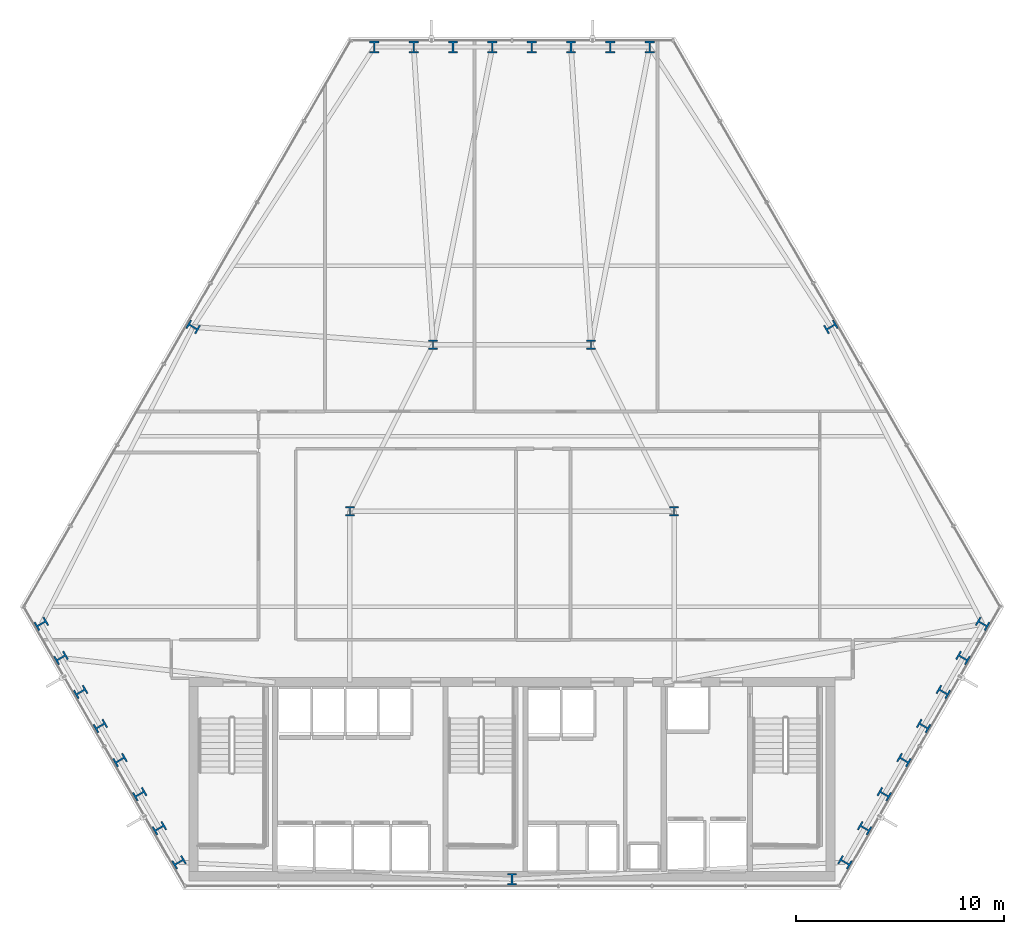
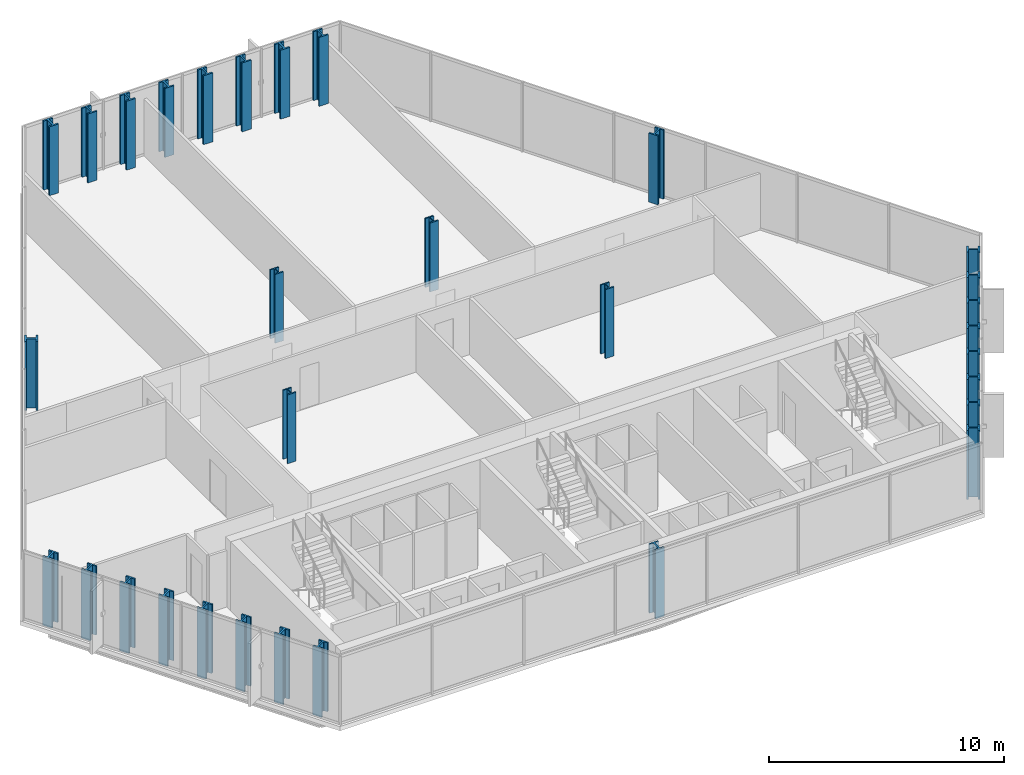
# One storey, part 1 of 32: 31 columns.
"""IFC4 building model written with IfcOpenShell, lengths in metres."""

from ifc_helpers import new_model, si_unit, direction, frame, origin, origin_2d, place, context, subcontext, project, spatial, i_section, extrude, material, material_profile, profile_set, type_object, element, save


model = new_model("IFC4")

# Units and contexts
model_context = context("Model", 3, precision=1e-05, world=origin(), true_north=direction((0.0, 1.0)))
body_context = subcontext(model_context, "Body", "Model", "MODEL_VIEW")
ifc_project = project(units=[si_unit("LENGTHUNIT", "METRE"), si_unit("AREAUNIT", "SQUARE_METRE"), si_unit("VOLUMEUNIT", "CUBIC_METRE"), si_unit("PLANEANGLEUNIT", "RADIAN"), si_unit("MASSUNIT", "GRAM", prefix="KILO")], contexts=[model_context])

# Site, building, storey
site_placement = place(None, origin())
site = spatial("IfcSite", under=ifc_project, at=site_placement, CompositionType="ELEMENT")
building_placement = place(site_placement, origin())
building = spatial("IfcBuilding", under=site, at=building_placement, Name="Ndaravel Arena Tower", CompositionType="ELEMENT")
storey_placement = place(building_placement, frame((0.0, 0.0, 62.60009765625)))
storey = spatial("IfcBuildingStorey", under=building, at=storey_placement, Name="L13", CompositionType="ELEMENT", Elevation=62.60009765625)

# Columns
ifc_material_1 = material(Name="Steel S460", Category="steel")
ifc_material_profile_1 = material_profile(ifc_material_1, i_section(OverallWidth=0.41845703125, OverallDepth=0.45556640625, WebThickness=0.0419921875, FlangeThickness=0.0673828125, FilletRadius=0.01513671875, at=origin_2d()), Name="UC 356x406x551")
ifc_profile_set_1 = profile_set([ifc_material_profile_1], Name="Steel S460")
column_type_1 = type_object("IfcColumnType", Name="COL-INT-UC551", PredefinedType="COLUMN", material=ifc_profile_set_1)
for number, where, z_axis, x_axis, name in (
    (1, (34.199951171875, 23.199951171875, 0.0), (0.0, 0.0, 1.0), (1.0, 0.0, 0.0), "L13 Interior Spine Column IC-01"),
    (2, (49.800048828125, 23.199951171875, 0.0), (0.0, 0.0, 1.0), (1.0, 0.0, 0.0), "L13 Interior Spine Column IC-02"),
    (3, (38.199951171875, 31.199951171875, 0.0), (0.0, 0.0, 1.0), (1.0, 0.0, 0.0), "L13 Interior Spine Column IC-03"),
    (4, (45.800048828125, 31.199951171875, 0.0), (0.0, 0.0, 1.0), (1.0, 0.0, 0.0), "L13 Interior Spine Column IC-04"),
):
    element("IfcColumn", number, at=place(storey_placement, frame(where, z_axis=z_axis, x_axis=x_axis)), inside=storey, type_object=column_type_1, Name=name, PredefinedType="COLUMN", context=body_context, shape_type="SweptSolid", body=[
        extrude(i_section(OverallWidth=0.41845703125, OverallDepth=0.45556640625, WebThickness=0.0419921875, FlangeThickness=0.0673828125, FilletRadius=0.01513671875, at=origin_2d()), origin(), (0.0, 0.0, 1.0), 3.579833984375),
    ])
ifc_material_2 = material(Name="Steel S460", Category="steel")
ifc_material_profile_2 = material_profile(ifc_material_2, i_section(OverallWidth=0.4541015625, OverallDepth=0.569091796875, WebThickness=0.077880859375, FlangeThickness=0.080078125, FilletRadius=0.014892578125, at=origin_2d()), Name="HD 400x1086")
ifc_profile_set_2 = profile_set([ifc_material_profile_2], Name="Steel S460")
column_type_2 = type_object("IfcColumnType", Name="COL-TUBE-HD1086", PredefinedType="COLUMN", material=ifc_profile_set_2)
for number, where, z_axis, x_axis, name in (
    (5, (42.0, 5.47998046875, 0.0), (0.0, 0.0, 1.0), (1.0, 0.0, 0.0), "L13 Framed Tube Column TC-01"),
    (6, (58.0234375, 6.299560546875, 0.0), (0.0, 0.0, 1.0), (0.5, 0.866025403784, 0.0), "L13 Framed Tube Column TC-02"),
    (7, (58.969970703125, 7.93896484375, 0.0), (0.0, 0.0, 1.0), (0.5, 0.866025403784, 0.0), "L13 Framed Tube Column TC-03"),
    (8, (59.916259765625, 9.578125, 0.0), (0.0, 0.0, 1.0), (0.5, 0.866025403784, 0.0), "L13 Framed Tube Column TC-04"),
    (9, (60.86279296875, 11.21728515625, 0.0), (0.0, 0.0, 1.0), (0.5, 0.866025403784, 0.0), "L13 Framed Tube Column TC-05"),
    (10, (61.80908203125, 12.856689453125, 0.0), (0.0, 0.0, 1.0), (0.5, 0.866025403784, 0.0), "L13 Framed Tube Column TC-06"),
    (11, (62.755615234375, 14.495849609375, 0.0), (0.0, 0.0, 1.0), (0.5, 0.866025403784, 0.0), "L13 Framed Tube Column TC-07"),
    (12, (63.701904296875, 16.135009765625, 0.0), (0.0, 0.0, 1.0), (0.5, 0.866025403784, 0.0), "L13 Framed Tube Column TC-08"),
    (13, (64.6484375, 17.7744140625, 0.0), (0.0, 0.0, 1.0), (0.5, 0.866025403784, 0.0), "L13 Framed Tube Column TC-09"),
    (14, (57.346435546875, 32.060791015625, 0.0), (0.0, 0.0, 1.0), (-0.5, 0.866025403784, 0.0), "L13 Framed Tube Column TC-10"),
    (15, (48.625, 45.52783203125, 0.0), (0.0, 0.0, 1.0), (1.0, 0.0, 0.0), "L13 Framed Tube Column TC-11"),
    (16, (46.732177734375, 45.52783203125, 0.0), (0.0, 0.0, 1.0), (1.0, 0.0, 0.0), "L13 Framed Tube Column TC-12"),
    (17, (44.83935546875, 45.52783203125, 0.0), (0.0, 0.0, 1.0), (1.0, 0.0, 0.0), "L13 Framed Tube Column TC-13"),
    (18, (42.9462890625, 45.52783203125, 0.0), (0.0, 0.0, 1.0), (1.0, 0.0, 0.0), "L13 Framed Tube Column TC-14"),
    (19, (41.0537109375, 45.52783203125, 0.0), (0.0, 0.0, 1.0), (1.0, 0.0, 0.0), "L13 Framed Tube Column TC-15"),
    (20, (39.16064453125, 45.52783203125, 0.0), (0.0, 0.0, 1.0), (1.0, 0.0, 0.0), "L13 Framed Tube Column TC-16"),
    (21, (37.267822265625, 45.52783203125, 0.0), (0.0, 0.0, 1.0), (1.0, 0.0, 0.0), "L13 Framed Tube Column TC-17"),
    (22, (35.375, 45.52783203125, 0.0), (0.0, 0.0, 1.0), (1.0, 0.0, 0.0), "L13 Framed Tube Column TC-18"),
    (23, (26.653564453125, 32.060791015625, 0.0), (0.0, 0.0, 1.0), (0.5, 0.866025403784, 0.0), "L13 Framed Tube Column TC-19"),
    (24, (19.3515625, 17.7744140625, 0.0), (0.0, 0.0, 1.0), (-0.5, 0.866025403784, 0.0), "L13 Framed Tube Column TC-20"),
    (25, (20.298095703125, 16.135009765625, 0.0), (0.0, 0.0, 1.0), (-0.5, 0.866025403784, 0.0), "L13 Framed Tube Column TC-21"),
    (26, (21.244384765625, 14.495849609375, 0.0), (0.0, 0.0, 1.0), (-0.5, 0.866025403784, 0.0), "L13 Framed Tube Column TC-22"),
    (27, (22.19091796875, 12.856689453125, 0.0), (0.0, 0.0, 1.0), (-0.5, 0.866025403784, 0.0), "L13 Framed Tube Column TC-23"),
    (28, (23.13720703125, 11.21728515625, 0.0), (0.0, 0.0, 1.0), (-0.5, 0.866025403784, 0.0), "L13 Framed Tube Column TC-24"),
    (29, (24.083740234375, 9.578125, 0.0), (0.0, 0.0, 1.0), (-0.5, 0.866025403784, 0.0), "L13 Framed Tube Column TC-25"),
    (30, (25.030029296875, 7.93896484375, 0.0), (0.0, 0.0, 1.0), (-0.5, 0.866025403784, 0.0), "L13 Framed Tube Column TC-26"),
    (31, (25.9765625, 6.299560546875, 0.0), (0.0, 0.0, 1.0), (-0.5, 0.866025403784, 0.0), "L13 Framed Tube Column TC-27"),
):
    element("IfcColumn", number, at=place(storey_placement, frame(where, z_axis=z_axis, x_axis=x_axis)), inside=storey, type_object=column_type_2, Name=name, PredefinedType="COLUMN", context=body_context, shape_type="SweptSolid", body=[
        extrude(i_section(OverallWidth=0.4541015625, OverallDepth=0.569091796875, WebThickness=0.077880859375, FlangeThickness=0.080078125, FilletRadius=0.014892578125, at=origin_2d()), origin(), (0.0, 0.0, 1.0), 3.579833984375),
    ])

save(model, "model.ifc")
